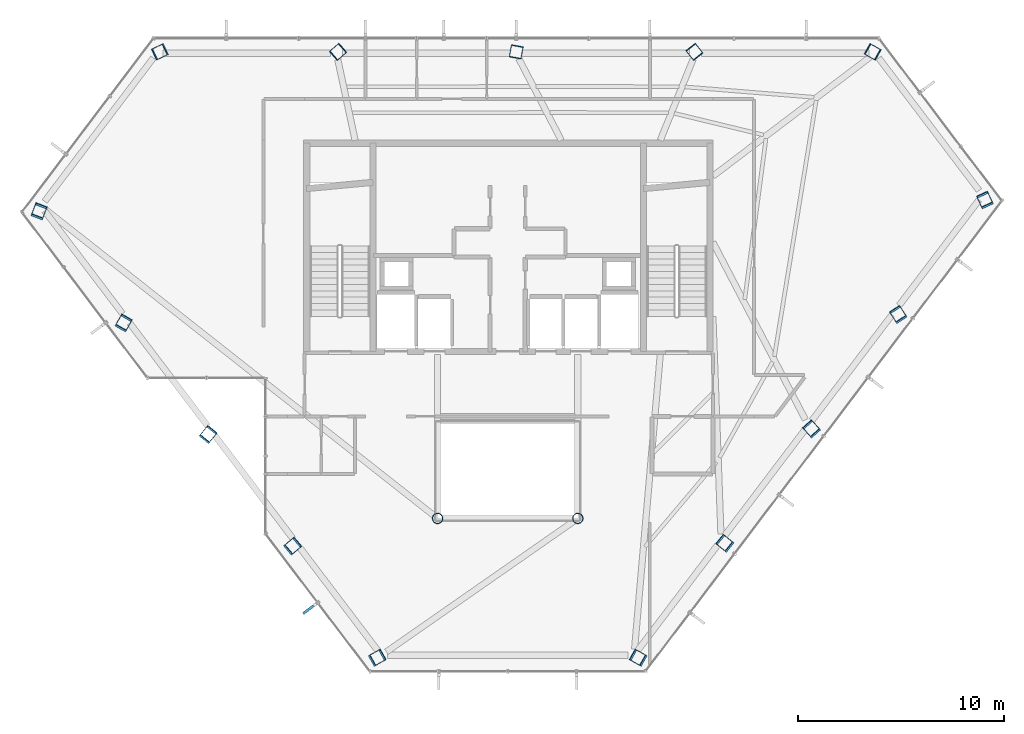
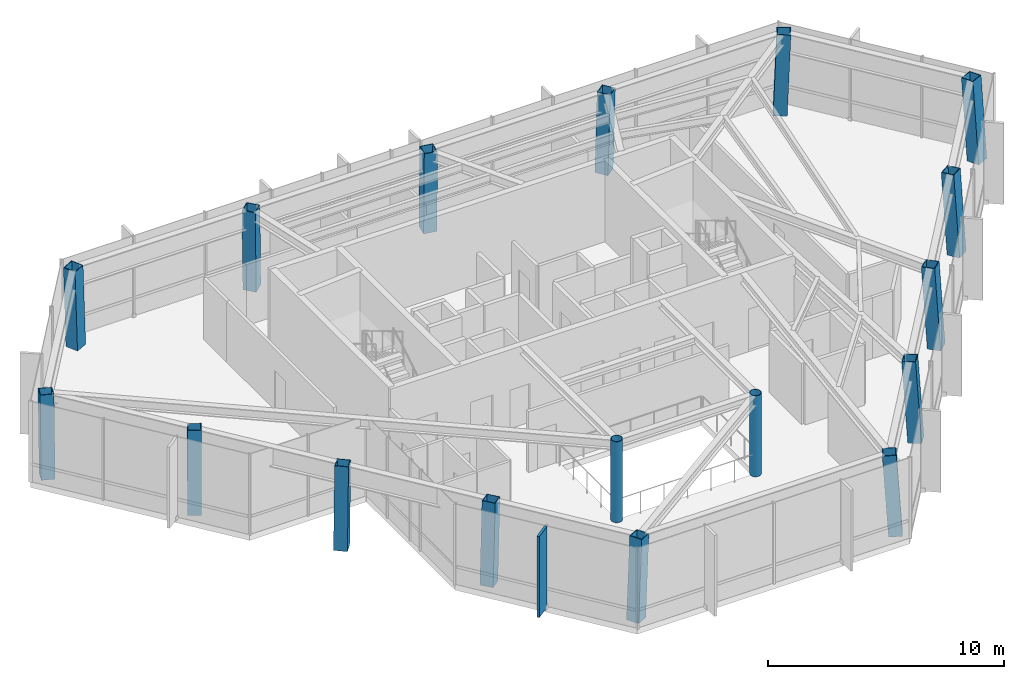
# One storey, part 1 of 22: 17 columns, 1 member, 1 element without a shape of its own.
"""IFC4 building model written with IfcOpenShell, lengths in metres."""

from ifc_helpers import new_model, si_unit, direction, frame, origin, origin_2d, place, context, subcontext, project, spatial, rectangle, hollow_rectangle, hollow_circle, extrude, material, layer, layer_set, material_profile, profile_set, type_object, element, aggregate, save


model = new_model("IFC4")

# Units and contexts
model_context = context("Model", 3, precision=1e-05, world=origin(), true_north=direction((0.0, 1.0)))
body_context = subcontext(model_context, "Body", "Model", "MODEL_VIEW")
ifc_project = project(units=[si_unit("LENGTHUNIT", "METRE"), si_unit("AREAUNIT", "SQUARE_METRE"), si_unit("VOLUMEUNIT", "CUBIC_METRE"), si_unit("PLANEANGLEUNIT", "RADIAN"), si_unit("MASSUNIT", "GRAM", prefix="KILO")], contexts=[model_context])

# Site, building, storey
site_placement = place(None, origin())
site = spatial("IfcSite", under=ifc_project, at=site_placement, CompositionType="ELEMENT")
building_placement = place(site_placement, origin())
building = spatial("IfcBuilding", under=site, at=building_placement, Name="Zarrinselat Tower", CompositionType="ELEMENT")
storey_placement = place(building_placement, frame((0.0, 0.0, 204.340087890625)))
storey = spatial("IfcBuildingStorey", under=building, at=storey_placement, Name="L50", CompositionType="ELEMENT", Elevation=204.340087890625)

# Columns
ifc_material_1 = material(Name="Steel S355J2", Category="steel")
ifc_material_profile_1 = material_profile(ifc_material_1, hollow_circle(Radius=0.25390625, WallThickness=0.02001953125, at=origin_2d()), Name="CHS 508x20")
ifc_profile_set_1 = profile_set([ifc_material_profile_1], Name="Steel S355J2")
column_type_1 = type_object("IfcColumnType", Name="COL-CHS508", PredefinedType="COLUMN", material=ifc_profile_set_1)
for number, where, z_axis, x_axis, name in (
    (1, (35.0, 25.199951171875, 0.0), (0.0, 0.0, 1.0), (1.0, 0.0, 0.0), "L50 Atrium Corner Column 1"),
    (2, (41.800048828125, 25.199951171875, 0.0), (0.0, 0.0, 1.0), (1.0, 0.0, 0.0), "L50 Atrium Corner Column 2"),
):
    element("IfcColumn", number, at=place(storey_placement, frame(where, z_axis=z_axis, x_axis=x_axis)), inside=storey, type_object=column_type_1, Name=name, PredefinedType="COLUMN", context=body_context, shape_type="SweptSolid", body=[
        extrude(hollow_circle(Radius=0.25390625, WallThickness=0.02001953125, at=origin_2d()), origin(), (0.0, 0.0, 1.0), 4.199951171875),
    ])
ifc_material_2 = material(Name="Steel S355J2", Category="steel")
ifc_material_profile_2 = material_profile(ifc_material_2, hollow_rectangle(XDim=0.60009765625, YDim=0.60009765625, WallThickness=0.030029296875, at=origin_2d()), Name="SHS 600x600x30")
ifc_profile_set_2 = profile_set([ifc_material_profile_2], Name="Steel S355J2")
column_type_2 = type_object("IfcColumnType", Name="COL-SHS600", PredefinedType="COLUMN", material=ifc_profile_set_2)
column_1_placement = place(storey_placement, frame((56.07958984375, 47.839111328125, 0.0), z_axis=(0.032993813129, -0.018588063734, 0.999282688823), x_axis=(0.490843733941, 0.871247627745, 0.0)))
element("IfcColumn", 3, at=column_1_placement, inside=storey, type_object=column_type_2, Name="L50 Framed-Tube Column T01", PredefinedType="COLUMN", context=body_context, shape_type="SweptSolid", body=[
    extrude(hollow_rectangle(XDim=0.60009765625, YDim=0.60009765625, WallThickness=0.030029296875, at=origin_2d()), origin(), (0.0, 0.0, 1.0), 4.202880859375),
])
column_2_placement = place(storey_placement, frame((47.447998046875, 47.839111328125, 0.0), z_axis=(0.014760704561, -0.018596163226, 0.999718112427), x_axis=(0.783251064846, 0.621705532722, 0.0)))
element("IfcColumn", 4, at=column_2_placement, inside=storey, type_object=column_type_2, Name="L50 Framed-Tube Column T02", PredefinedType="COLUMN", context=body_context, shape_type="SweptSolid", body=[
    extrude(hollow_rectangle(XDim=0.60009765625, YDim=0.60009765625, WallThickness=0.030029296875, at=origin_2d()), origin(), (0.0, 0.0, 1.0), 4.201171875),
])
column_3_placement = place(storey_placement, frame((38.816162109375, 47.839111328125, 0.0), z_axis=(-0.003370902678, -0.018598083742, 0.999821358192), x_axis=(0.983968158076, -0.178344228651, 0.0)))
element("IfcColumn", 5, at=column_3_placement, inside=storey, type_object=column_type_2, Name="L50 Framed-Tube Column T03", PredefinedType="COLUMN", context=body_context, shape_type="SweptSolid", body=[
    extrude(hollow_rectangle(XDim=0.60009765625, YDim=0.60009765625, WallThickness=0.030029296875, at=origin_2d()), origin(), (0.0, 0.0, 1.0), 4.20068359375),
])
column_4_placement = place(storey_placement, frame((30.1845703125, 47.839111328125, 0.0), z_axis=(-0.021615343823, -0.018593844149, 0.99959344029), x_axis=(0.652132982659, -0.758104592341, 0.0)))
element("IfcColumn", 6, at=column_4_placement, inside=storey, type_object=column_type_2, Name="L50 Framed-Tube Column T04", PredefinedType="COLUMN", context=body_context, shape_type="SweptSolid", body=[
    extrude(hollow_rectangle(XDim=0.60009765625, YDim=0.60009765625, WallThickness=0.030029296875, at=origin_2d()), origin(), (0.0, 0.0, 1.0), 4.20166015625),
])
column_5_placement = place(storey_placement, frame((21.552978515625, 47.839111328125, 0.0), z_axis=(-0.039780236336, -0.01858346807, 0.99903562875), x_axis=(0.423247470362, -0.906014116243, 0.0)))
element("IfcColumn", 7, at=column_5_placement, inside=storey, type_object=column_type_2, Name="L50 Framed-Tube Column T05", PredefinedType="COLUMN", context=body_context, shape_type="SweptSolid", body=[
    extrude(hollow_rectangle(XDim=0.60009765625, YDim=0.60009765625, WallThickness=0.030029296875, at=origin_2d()), origin(), (0.0, 0.0, 1.0), 4.2041015625),
])
column_6_placement = place(storey_placement, frame((15.658203125, 40.057861328125, 0.0), z_axis=(0.026319341166, 0.068638986653, 0.997294330572), x_axis=(-0.933710970217, 0.358027686215, 0.0)))
element("IfcColumn", 8, at=column_6_placement, inside=storey, type_object=column_type_2, Name="L50 Framed-Tube Column T06", PredefinedType="COLUMN", context=body_context, shape_type="SweptSolid", body=[
    extrude(hollow_rectangle(XDim=0.60009765625, YDim=0.60009765625, WallThickness=0.030029296875, at=origin_2d()), origin(), (0.0, 0.0, 1.0), 4.21142578125),
])
column_7_placement = place(storey_placement, frame((19.754150390625, 34.651123046875, 0.0), z_axis=(0.033520923169, 0.059212564975, 0.997682424351), x_axis=(-0.870229277639, 0.492646936802, 0.0)))
element("IfcColumn", 9, at=column_7_placement, inside=storey, type_object=column_type_2, Name="L50 Framed-Tube Column T07", PredefinedType="COLUMN", context=body_context, shape_type="SweptSolid", body=[
    extrude(hollow_rectangle(XDim=0.60009765625, YDim=0.60009765625, WallThickness=0.030029296875, at=origin_2d()), origin(), (0.0, 0.0, 1.0), 4.209716796875),
])
column_8_placement = place(storey_placement, frame((23.850341796875, 29.244384765625, 0.0), z_axis=(0.040664573665, 0.049714036564, 0.997935322061), x_axis=(-0.77403777564, 0.633139417414, 0.0)))
element("IfcColumn", 10, at=column_8_placement, inside=storey, type_object=column_type_2, Name="L50 Framed-Tube Column T08", PredefinedType="COLUMN", context=body_context, shape_type="SweptSolid", body=[
    extrude(hollow_rectangle(XDim=0.60009765625, YDim=0.60009765625, WallThickness=0.030029296875, at=origin_2d()), origin(), (0.0, 0.0, 1.0), 4.208740234375),
])
for number, where, z_axis, x_axis, name in (
    (11, (27.9462890625, 23.83740234375, 0.0), (0.047862745783, 0.040320737357, 0.998039776615), (-0.644278468508, 0.764790987798, 0.0), "L50 Framed-Tube Column T09"),
    (12, (32.04248046875, 18.4306640625, 0.0), (0.054996972894, 0.030863280147, 0.99800941424), (-0.489387496628, 0.872066441359, 0.0), "L50 Framed-Tube Column T10"),
    (13, (44.757568359375, 18.4306640625, 0.0), (-0.05505481083, 0.030863181624, 0.99800622835), (-0.488995167827, -0.872286492984, 0.0), "L50 Framed-Tube Column T11"),
    (14, (48.957763671875, 23.974853515625, 0.0), (-0.048733065606, 0.039218514702, 0.998041580507), (-0.626954493406, -0.779055879381, 0.0), "L50 Framed-Tube Column T12"),
):
    element("IfcColumn", number, at=place(storey_placement, frame(where, z_axis=z_axis, x_axis=x_axis)), inside=storey, type_object=column_type_2, Name=name, PredefinedType="COLUMN", context=body_context, shape_type="SweptSolid", body=[
        extrude(hollow_rectangle(XDim=0.60009765625, YDim=0.60009765625, WallThickness=0.030029296875, at=origin_2d()), origin(), (0.0, 0.0, 1.0), 4.208251953125),
    ])
column_9_placement = place(storey_placement, frame((53.15771484375, 29.51904296875, 0.0), z_axis=(-0.042348426679, 0.047511454041, 0.997972581033), x_axis=(-0.746503429417, -0.665381567124, 0.0)))
element("IfcColumn", 15, at=column_9_placement, inside=storey, type_object=column_type_2, Name="L50 Framed-Tube Column T13", PredefinedType="COLUMN", context=body_context, shape_type="SweptSolid", body=[
    extrude(hollow_rectangle(XDim=0.60009765625, YDim=0.60009765625, WallThickness=0.030029296875, at=origin_2d()), origin(), (0.0, 0.0, 1.0), 4.20849609375),
])
column_10_placement = place(storey_placement, frame((57.35791015625, 35.063232421875, 0.0), z_axis=(-0.03601854171, 0.055854840043, 0.997789006502), x_axis=(-0.840412048992, -0.541947956827, 0.0)))
element("IfcColumn", 16, at=column_10_placement, inside=storey, type_object=column_type_2, Name="L50 Framed-Tube Column T14", PredefinedType="COLUMN", context=body_context, shape_type="SweptSolid", body=[
    extrude(hollow_rectangle(XDim=0.60009765625, YDim=0.60009765625, WallThickness=0.030029296875, at=origin_2d()), origin(), (0.0, 0.0, 1.0), 4.209228515625),
])
column_11_placement = place(storey_placement, frame((61.55810546875, 40.607421875, 0.0), z_axis=(-0.029745662477, 0.064188008504, 0.99749440857), x_axis=(-0.907310606534, -0.420461012784, 0.0)))
element("IfcColumn", 17, at=column_11_placement, inside=storey, type_object=column_type_2, Name="L50 Framed-Tube Column T15", PredefinedType="COLUMN", context=body_context, shape_type="SweptSolid", body=[
    extrude(hollow_rectangle(XDim=0.60009765625, YDim=0.60009765625, WallThickness=0.030029296875, at=origin_2d()), origin(), (0.0, 0.0, 1.0), 4.21044921875),
])

# Curtain wall, member
ifc_material_3 = material(Name="Extruded Aluminium Alloy EN AW-6063 T6", Category="aluminium")
ifc_layer = layer(ifc_material_3, 0.195068359375)
ifc_layer_set = layer_set([ifc_layer], Name="Extruded Aluminium Alloy EN AW-6063 T6")
curtain_wall_type = type_object("IfcCurtainWallType", Name="CWS-GDN", PredefinedType="NOTDEFINED", material=ifc_layer_set)
curtain_wall_placement = place(storey_placement, origin())
curtain_wall = element("IfcCurtainWall", 18, at=curtain_wall_placement, inside=storey, type_object=curtain_wall_type, Name="L50 Unitised Curtain Wall CW-L50-E06", PredefinedType="NOTDEFINED")
ifc_material_4 = material(Name="Honed Cream Travertine Stone", Category="masonry")
ifc_material_profile_3 = material_profile(ifc_material_4, rectangle(XDim=0.1201171875, YDim=0.85009765625, at=origin_2d()), Name="FIN 850x120")
ifc_profile_set_3 = profile_set([ifc_material_profile_3], Name="Honed Cream Travertine Stone")
member_type = type_object("IfcMemberType", Name="MEM-STONE-FIN", PredefinedType="USERDEFINED", material=ifc_profile_set_3)
member_placement = place(storey_placement, frame((28.82177734375, 20.843505859375, 0.0), z_axis=(0.0, 0.0, 1.0), x_axis=(-0.603858445775, 0.797091574078, 0.0)))
member = element("IfcMember", 19, at=member_placement, type_object=member_type, Name="L50 Stone Shading Fin CW-L50-E06-01", ObjectType="FIN", PredefinedType="USERDEFINED", context=body_context, shape_type="SweptSolid", body=[
    extrude(rectangle(XDim=0.1201171875, YDim=0.85009765625, at=origin_2d()), origin(), (0.0, 0.0, 1.0), 4.199951171875),
])
aggregate(curtain_wall, [member])

save(model, "model.ifc")
